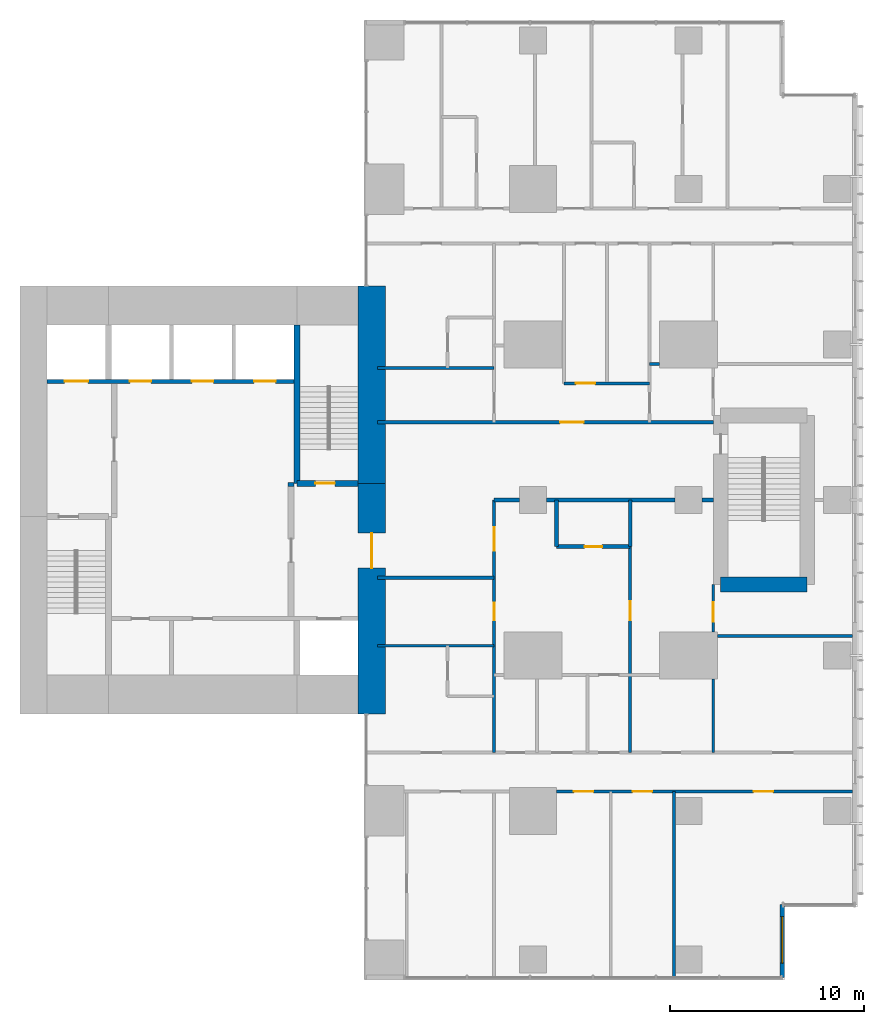
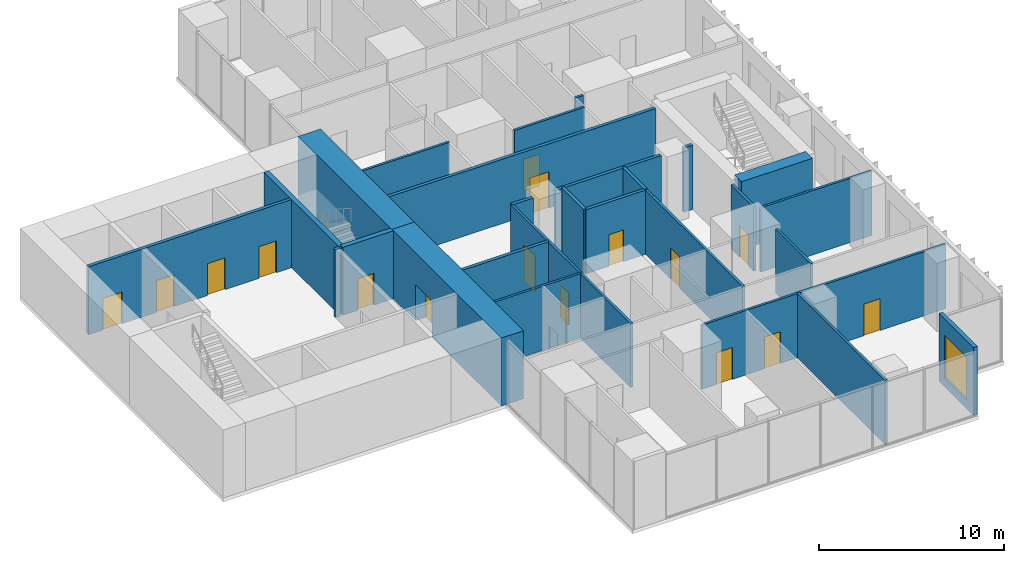
# One storey, part 8 of 12: 27 walls, 16 doors, 1 window, 17 openings.
"""IFC4 building model written with IfcOpenShell, lengths in metres."""

from ifc_helpers import new_model, si_unit, direction, frame, frame_2d, origin, place, context, subcontext, project, spatial, rectangle, extrude, material, layer, layer_set, type_object, element, fill, save


model = new_model("IFC4")

# Units and contexts
model_context = context("Model", 3, precision=1e-05, world=origin(), true_north=direction((0.0, 1.0)))
body_context = subcontext(model_context, "Body", "Model", "MODEL_VIEW")
ifc_project = project(units=[si_unit("LENGTHUNIT", "METRE"), si_unit("AREAUNIT", "SQUARE_METRE"), si_unit("VOLUMEUNIT", "CUBIC_METRE"), si_unit("PLANEANGLEUNIT", "RADIAN"), si_unit("MASSUNIT", "GRAM", prefix="KILO")], contexts=[model_context])

# Site, building, storey
site_placement = place(None, origin())
site = spatial("IfcSite", under=ifc_project, at=site_placement, CompositionType="ELEMENT")
building_placement = place(site_placement, origin())
building = spatial("IfcBuilding", under=site, at=building_placement, Name="Cleftline Residences", CompositionType="ELEMENT")
storey_placement = place(building_placement, frame((0.0, 0.0, 282.60009765625)))
storey = spatial("IfcBuildingStorey", under=building, at=storey_placement, Name="L74", CompositionType="ELEMENT", Elevation=282.60009765625)

# Wall, opening, door
ifc_material_1 = material(Name="Concrete B70", Category="concrete")
ifc_layer_1 = layer(ifc_material_1, 1.39990234375)
ifc_layer_set_1 = layer_set([ifc_layer_1], Name="CORE WALL 1400")
wall_type_1 = type_object("IfcWallType", Name="CORE WALL 1400", PredefinedType="SHEAR", material=ifc_layer_set_1)
wall_1_placement = place(storey_placement, frame((41.699951171875, 13.0, 0.0), z_axis=(0.0, 0.0, 1.0), x_axis=(0.0, 1.0, 0.0)))
wall_1 = element("IfcWall", 1, at=wall_1_placement, inside=storey, type_object=wall_type_1, Name="Core wall E", PredefinedType="SHEAR", context=body_context, shape_type="SweptSolid", body=[
    extrude(rectangle(XDim=11.85009765625, YDim=1.39990234375, at=frame_2d((5.925048828125, 0.0))), origin(), (0.0, 0.0, 1.0), 4.5),
])
opening_1_placement = place(wall_1_placement, frame((7.5, 0.0, 0.0)))
opening_1 = element("IfcOpeningElement", 2, at=opening_1_placement, cuts=wall_1, Name="Opening D7", PredefinedType="OPENING", context=body_context, shape_type="SweptSolid", body=[
    extrude(rectangle(XDim=1.800048828125, YDim=2.39990234375, at=frame_2d((0.89990234375, 1.199951171875))), frame((0.0, 0.7099609375, 0.0), z_axis=(0.0, -1.0, 0.0), x_axis=(1.0, 0.0, 0.0)), (0.0, 0.0, 1.0), 1.419921875),
])
ifc_material_2 = material(Name="Steel", Category="steel")
door_type_1 = type_object("IfcDoorType", Name="WING DOOR 1800X2400", OperationType="DOUBLE_DOOR_DOUBLE_SWING", PredefinedType="DOOR", material=ifc_material_2)
door_1_placement = place(opening_1_placement, origin())
door_1 = element("IfcDoor", 3, at=door_1_placement, inside=storey, type_object=door_type_1, Name="East wing door", OperationType="DOUBLE_DOOR_DOUBLE_SWING", OverallHeight=2.39990234375, OverallWidth=1.800048828125, PredefinedType="DOOR", context=body_context, shape_type="SweptSolid", body=[
    extrude(rectangle(XDim=1.800048828125, YDim=2.39990234375, at=frame_2d((0.89990234375, 1.199951171875))), frame((0.0, 0.02490234375, 0.0), z_axis=(0.0, -1.0, 0.0), x_axis=(1.0, 0.0, 0.0)), (0.0, 0.0, 1.0), 0.050048828125),
])
fill(opening_1, door_1)

# Walls
wall_2_placement = place(storey_placement, frame((41.699951171875, 24.85009765625, 0.0), z_axis=(0.0, 0.0, 1.0), x_axis=(0.0, 1.0, 0.0)))
element("IfcWall", 4, at=wall_2_placement, inside=storey, type_object=wall_type_1, Name="Core wall E1", PredefinedType="SHEAR", context=body_context, shape_type="SweptSolid", body=[
    extrude(rectangle(XDim=10.14990234375, YDim=1.39990234375, at=frame_2d((5.074951171875, 0.0))), origin(), (0.0, 0.0, 1.0), 4.5),
])
ifc_material_3 = material(Name="Concrete B70", Category="concrete")
ifc_layer_2 = layer(ifc_material_3, 0.300048828125)
ifc_layer_set_2 = layer_set([ifc_layer_2], Name="CORE WALL 300")
wall_type_2 = type_object("IfcWallType", Name="CORE WALL 300", PredefinedType="SHEAR", material=ifc_layer_set_2)
wall_3_placement = place(storey_placement, frame((37.85009765625, 24.85009765625, 0.0), z_axis=(0.0, 0.0, 1.0), x_axis=(0.0, 1.0, 0.0)))
element("IfcWall", 5, at=wall_3_placement, inside=storey, type_object=wall_type_2, Name="Core wall SB-W", PredefinedType="SHEAR", context=body_context, shape_type="SweptSolid", body=[
    extrude(rectangle(XDim=8.14990234375, YDim=0.300048828125, at=frame_2d((4.074951171875, 0.0))), origin(), (0.0, 0.0, 1.0), 4.5),
])

# Wall, opening, door
wall_4_placement = place(storey_placement, frame((37.85009765625, 24.85009765625, 0.0), z_axis=(0.0, 0.0, 1.0), x_axis=(1.0, 0.0, 0.0)))
wall_4 = element("IfcWall", 6, at=wall_4_placement, inside=storey, type_object=wall_type_2, Name="Core wall SB-S", PredefinedType="SHEAR", context=body_context, shape_type="SweptSolid", body=[
    extrude(rectangle(XDim=3.14990234375, YDim=0.300048828125, at=frame_2d((1.574951171875, 0.0))), origin(), (0.0, 0.0, 1.0), 4.5),
])
opening_2_placement = place(wall_4_placement, frame((0.949951171875, 0.0, 0.0)))
opening_2 = element("IfcOpeningElement", 7, at=opening_2_placement, cuts=wall_4, Name="Opening D5", PredefinedType="OPENING", context=body_context, shape_type="SweptSolid", body=[
    extrude(rectangle(XDim=1.0, YDim=2.10009765625, at=frame_2d((0.5, 1.050048828125))), frame((0.0, 0.159912109375, 0.0), z_axis=(0.0, -1.0, 0.0), x_axis=(1.0, 0.0, 0.0)), (0.0, 0.0, 1.0), 0.320068359375),
])
ifc_material_4 = material(Name="Steel", Category="steel")
door_type_2 = type_object("IfcDoorType", Name="STAIR DOOR 1000X2100", OperationType="SINGLE_SWING_LEFT", PredefinedType="DOOR", material=ifc_material_4)
door_2_placement = place(opening_2_placement, origin())
door_2 = element("IfcDoor", 8, at=door_2_placement, inside=storey, type_object=door_type_2, Name="Stair B door", OperationType="SINGLE_SWING_RIGHT", OverallHeight=2.10009765625, OverallWidth=1.0, PredefinedType="DOOR", context=body_context, shape_type="SweptSolid", body=[
    extrude(rectangle(XDim=1.0, YDim=2.10009765625, at=frame_2d((0.5, 1.050048828125))), frame((0.0, 0.02490234375, 0.0), z_axis=(0.0, -1.0, 0.0), x_axis=(1.0, 0.0, 0.0)), (0.0, 0.0, 1.0), 0.050048828125),
])
fill(opening_2, door_2)

# Wall, opening, window
ifc_material_5 = material(Name="Rendered reinforced concrete blockwork", Category="masonry")
ifc_layer_3 = layer(ifc_material_5, 0.25)
ifc_layer_set_3 = layer_set([ifc_layer_3], Name="EXTERNAL WALL 250")
wall_type_3 = type_object("IfcWallType", Name="EXTERNAL WALL 250", PredefinedType="SOLIDWALL", material=ifc_layer_set_3)
wall_5_placement = place(storey_placement, frame((62.824951171875, -0.574951171875, 0.0), z_axis=(0.0, 0.0, 1.0), x_axis=(0.0, 1.0, 0.0)))
wall_5 = element("IfcWall", 9, at=wall_5_placement, inside=storey, type_object=wall_type_3, Name="External wall", PredefinedType="SOLIDWALL", context=body_context, shape_type="SweptSolid", body=[
    extrude(rectangle(XDim=3.75, YDim=0.25, at=frame_2d((1.875, 0.0))), origin(), (0.0, 0.0, 1.0), 4.5),
])
opening_3_placement = place(wall_5_placement, frame((0.737548828125, 0.0, 0.60009765625)))
opening_3 = element("IfcOpeningElement", 10, at=opening_3_placement, cuts=wall_5, Name="Opening W15", PredefinedType="OPENING", context=body_context, shape_type="SweptSolid", body=[
    extrude(rectangle(XDim=2.39990234375, YDim=2.800048828125, at=frame_2d((1.199951171875, 1.39990234375))), frame((0.0, 0.135009765625, 0.0), z_axis=(0.0, -1.0, 0.0), x_axis=(1.0, 0.0, 0.0)), (0.0, 0.0, 1.0), 0.27001953125),
])
ifc_material_6 = material(Name="Aluminium frame, clear double glazing", Category="aluminium")
window_type = type_object("IfcWindowType", Name="WINDOW 2400X2800", PartitioningType="DOUBLE_PANEL_VERTICAL", PredefinedType="WINDOW", material=ifc_material_6)
window_placement = place(opening_3_placement, origin())
window = element("IfcWindow", 11, at=window_placement, inside=storey, type_object=window_type, Name="Window", OverallHeight=2.800048828125, OverallWidth=2.39990234375, PartitioningType="SINGLE_PANEL", PredefinedType="WINDOW", context=body_context, shape_type="SweptSolid", body=[
    extrude(rectangle(XDim=2.39990234375, YDim=2.800048828125, at=frame_2d((1.199951171875, 1.39990234375))), frame((0.0, 0.030029296875, 0.0), z_axis=(0.0, -1.0, 0.0), x_axis=(1.0, 0.0, 0.0)), (0.0, 0.0, 1.0), 0.06005859375),
])
fill(opening_3, window)

# Wall
ifc_material_7 = material(Name="Concrete blockwork, fire rated", Category="masonry")
ifc_layer_4 = layer(ifc_material_7, 0.199951171875)
ifc_layer_set_4 = layer_set([ifc_layer_4], Name="FIRE WALL 200")
wall_type_4 = type_object("IfcWallType", Name="FIRE WALL 200", PredefinedType="PARTITIONING", material=ifc_layer_set_4)
wall_6_placement = place(storey_placement, frame((42.0, 20.0, 0.0), z_axis=(0.0, 0.0, 1.0), x_axis=(1.0, 0.0, 0.0)))
element("IfcWall", 12, at=wall_6_placement, inside=storey, type_object=wall_type_4, Name="Fire separating wall", PredefinedType="PARTITIONING", context=body_context, shape_type="SweptSolid", body=[
    extrude(rectangle(XDim=6.0, YDim=0.199951171875, at=frame_2d((3.0, 0.0))), origin(), (0.0, 0.0, 1.0), 4.25),
])

# Wall, opening, door
wall_7_placement = place(storey_placement, frame((51.199951171875, 21.60009765625, 0.0), z_axis=(0.0, 0.0, 1.0), x_axis=(1.0, 0.0, 0.0)))
wall_7 = element("IfcWall", 13, at=wall_7_placement, inside=storey, type_object=wall_type_4, Name="Fire separating wall", PredefinedType="PARTITIONING", context=body_context, shape_type="SweptSolid", body=[
    extrude(rectangle(XDim=3.800048828125, YDim=0.199951171875, at=frame_2d((1.89990234375, 0.0))), origin(), (0.0, 0.0, 1.0), 4.25),
])
opening_4_placement = place(wall_7_placement, frame((1.449951171875, 0.0, 0.0)))
opening_4 = element("IfcOpeningElement", 14, at=opening_4_placement, cuts=wall_7, Name="Opening D1F30", PredefinedType="OPENING", context=body_context, shape_type="SweptSolid", body=[
    extrude(rectangle(XDim=0.89990234375, YDim=2.10009765625, at=frame_2d((0.449951171875, 1.050048828125))), frame((0.0, 0.10986328125, 0.0), z_axis=(0.0, -1.0, 0.0), x_axis=(1.0, 0.0, 0.0)), (0.0, 0.0, 1.0), 0.219970703125),
])
ifc_material_8 = material(Name="Timber veneer on solid core", Category="wood")
door_type_3 = type_object("IfcDoorType", Name="DOOR 900X2100 EI 30", OperationType="SINGLE_SWING_LEFT", PredefinedType="DOOR", material=ifc_material_8)
door_3_placement = place(opening_4_placement, origin())
door_3 = element("IfcDoor", 15, at=door_3_placement, inside=storey, type_object=door_type_3, Name="Door to cloakroom wc", OperationType="SINGLE_SWING_LEFT", OverallHeight=2.10009765625, OverallWidth=0.89990234375, PredefinedType="DOOR", context=body_context, shape_type="SweptSolid", body=[
    extrude(rectangle(XDim=0.89990234375, YDim=2.10009765625, at=frame_2d((0.449951171875, 1.050048828125))), frame((0.0, 0.02490234375, 0.0), z_axis=(0.0, -1.0, 0.0), x_axis=(1.0, 0.0, 0.0)), (0.0, 0.0, 1.0), 0.050048828125),
])
fill(opening_4, door_3)

# Walls
wall_8_placement = place(storey_placement, frame((48.0, 24.0, 0.0), z_axis=(0.0, 0.0, 1.0), x_axis=(1.0, 0.0, 0.0)))
element("IfcWall", 16, at=wall_8_placement, inside=storey, type_object=wall_type_4, Name="Fire separating wall", PredefinedType="PARTITIONING", context=body_context, shape_type="SweptSolid", body=[
    extrude(rectangle(XDim=1.300048828125, YDim=0.199951171875, at=frame_2d((0.64990234375, 0.0))), origin(), (0.0, 0.0, 1.0), 4.25),
])
wall_9_placement = place(storey_placement, frame((50.699951171875, 24.0, 0.0), z_axis=(0.0, 0.0, 1.0), x_axis=(1.0, 0.0, 0.0)))
element("IfcWall", 17, at=wall_9_placement, inside=storey, type_object=wall_type_4, Name="Fire separating wall", PredefinedType="PARTITIONING", context=body_context, shape_type="SweptSolid", body=[
    extrude(rectangle(XDim=6.60009765625, YDim=0.199951171875, at=frame_2d((3.300048828125, 0.0))), origin(), (0.0, 0.0, 1.0), 4.25),
])
wall_10_placement = place(storey_placement, frame((58.699951171875, 24.0, 0.0), z_axis=(0.0, 0.0, 1.0), x_axis=(1.0, 0.0, 0.0)))
element("IfcWall", 18, at=wall_10_placement, inside=storey, type_object=wall_type_4, Name="Fire separating wall", PredefinedType="PARTITIONING", context=body_context, shape_type="SweptSolid", body=[
    extrude(rectangle(XDim=0.574951171875, YDim=0.199951171875, at=frame_2d((0.28759765625, 0.0))), origin(), (0.0, 0.0, 1.0), 4.25),
])

# Wall, opening, door
wall_11_placement = place(storey_placement, frame((42.0, 28.0, 0.0), z_axis=(0.0, 0.0, 1.0), x_axis=(1.0, 0.0, 0.0)))
wall_11 = element("IfcWall", 19, at=wall_11_placement, inside=storey, type_object=wall_type_4, Name="Fire separating wall", PredefinedType="PARTITIONING", context=body_context, shape_type="SweptSolid", body=[
    extrude(rectangle(XDim=17.27490234375, YDim=0.199951171875, at=frame_2d((8.637451171875, 0.0))), origin(), (0.0, 0.0, 1.0), 4.25),
])
opening_5_placement = place(wall_11_placement, frame((9.39990234375, 0.0, 0.0)))
opening_5 = element("IfcOpeningElement", 20, at=opening_5_placement, cuts=wall_11, Name="Opening D4", PredefinedType="OPENING", context=body_context, shape_type="SweptSolid", body=[
    extrude(rectangle(XDim=1.199951171875, YDim=2.39990234375, at=frame_2d((0.60009765625, 1.199951171875))), frame((0.0, 0.10986328125, 0.0), z_axis=(0.0, -1.0, 0.0), x_axis=(1.0, 0.0, 0.0)), (0.0, 0.0, 1.0), 0.219970703125),
])
ifc_material_9 = material(Name="Timber veneer on solid core", Category="wood")
door_type_4 = type_object("IfcDoorType", Name="APARTMENT ENTRANCE DOOR 1200X2400", OperationType="SINGLE_SWING_RIGHT", PredefinedType="DOOR", material=ifc_material_9)
door_4_placement = place(opening_5_placement, origin())
door_4 = element("IfcDoor", 21, at=door_4_placement, inside=storey, type_object=door_type_4, Name="Door to residence entrance (gallery)", OperationType="SINGLE_SWING_LEFT", OverallHeight=2.39990234375, OverallWidth=1.199951171875, PredefinedType="DOOR", context=body_context, shape_type="SweptSolid", body=[
    extrude(rectangle(XDim=1.199951171875, YDim=2.39990234375, at=frame_2d((0.60009765625, 1.199951171875))), frame((0.0, 0.02490234375, 0.0), z_axis=(0.0, -1.0, 0.0), x_axis=(1.0, 0.0, 0.0)), (0.0, 0.0, 1.0), 0.050048828125),
])
fill(opening_5, door_4)

# Walls
for number, where, z_axis, x_axis, name in (
    (22, (51.199951171875, 21.60009765625, 0.0), (0.0, 0.0, 1.0), (0.0, 1.0, 0.0), "Fire separating wall"),
    (23, (55.0, 21.60009765625, 0.0), (0.0, 0.0, 1.0), (0.0, 1.0, 0.0), "Fire separating wall"),
):
    element("IfcWall", number, at=place(storey_placement, frame(where, z_axis=z_axis, x_axis=x_axis)), inside=storey, type_object=wall_type_4, Name=name, PredefinedType="PARTITIONING", context=body_context, shape_type="SweptSolid", body=[
        extrude(rectangle(XDim=2.39990234375, YDim=0.199951171875, at=frame_2d((1.199951171875, 0.0))), origin(), (0.0, 0.0, 1.0), 4.25),
    ])
wall_12_placement = place(storey_placement, frame((37.39990234375, 24.800048828125, 0.0), z_axis=(0.0, 0.0, 1.0), x_axis=(1.0, 0.0, 0.0)))
element("IfcWall", 24, at=wall_12_placement, inside=storey, type_object=wall_type_4, Name="Fire separating wall", PredefinedType="PARTITIONING", context=body_context, shape_type="SweptSolid", body=[
    extrude(rectangle(XDim=0.300048828125, YDim=0.199951171875, at=frame_2d((0.14990234375, 0.0))), origin(), (0.0, 0.0, 1.0), 4.5),
])

# Wall, openings, doors
ifc_material_10 = material(Name="Gypsum board on steel studs", Category="steel")
ifc_layer_5 = layer(ifc_material_10, 0.14990234375)
ifc_layer_set_5 = layer_set([ifc_layer_5], Name="PARTITION 150")
wall_type_5 = type_object("IfcWallType", Name="PARTITION 150", PredefinedType="PARTITIONING", material=ifc_layer_set_5)
wall_13_placement = place(storey_placement, frame((51.199951171875, 9.0, 0.0), z_axis=(0.0, 0.0, 1.0), x_axis=(1.0, 0.0, 0.0)))
wall_13 = element("IfcWall", 25, at=wall_13_placement, inside=storey, type_object=wall_type_5, Name="Partition", PredefinedType="PARTITIONING", context=body_context, shape_type="SweptSolid", body=[
    extrude(rectangle(XDim=15.25, YDim=0.14990234375, at=frame_2d((7.625, 0.0))), origin(), (0.0, 0.0, 1.0), 4.25),
])
opening_6_placement = place(wall_13_placement, frame((10.14990234375, 0.0, 0.0)))
opening_6 = element("IfcOpeningElement", 26, at=opening_6_placement, cuts=wall_13, Name="Opening D2", PredefinedType="OPENING", context=body_context, shape_type="SweptSolid", body=[
    extrude(rectangle(XDim=1.0, YDim=2.10009765625, at=frame_2d((0.5, 1.050048828125))), frame((0.0, 0.0849609375, 0.0), z_axis=(0.0, -1.0, 0.0), x_axis=(1.0, 0.0, 0.0)), (0.0, 0.0, 1.0), 0.169921875),
])
opening_7_placement = place(wall_13_placement, frame((3.925048828125, 0.0, 0.0)))
opening_7 = element("IfcOpeningElement", 27, at=opening_7_placement, cuts=wall_13, Name="Opening D2", PredefinedType="OPENING", context=body_context, shape_type="SweptSolid", body=[
    extrude(rectangle(XDim=1.0, YDim=2.10009765625, at=frame_2d((0.5, 1.050048828125))), frame((0.0, 0.0849609375, 0.0), z_axis=(0.0, -1.0, 0.0), x_axis=(1.0, 0.0, 0.0)), (0.0, 0.0, 1.0), 0.169921875),
])
opening_8_placement = place(wall_13_placement, frame((0.89990234375, 0.0, 0.0)))
opening_8 = element("IfcOpeningElement", 28, at=opening_8_placement, cuts=wall_13, Name="Opening D2", PredefinedType="OPENING", context=body_context, shape_type="SweptSolid", body=[
    extrude(rectangle(XDim=1.0, YDim=2.10009765625, at=frame_2d((0.5, 1.050048828125))), frame((0.0, 0.0849609375, 0.0), z_axis=(0.0, -1.0, 0.0), x_axis=(1.0, 0.0, 0.0)), (0.0, 0.0, 1.0), 0.169921875),
])
ifc_material_11 = material(Name="Timber veneer on solid core", Category="wood")
door_type_5 = type_object("IfcDoorType", Name="DOOR 1000X2100", OperationType="SINGLE_SWING_LEFT", PredefinedType="DOOR", material=ifc_material_11)
door_5_placement = place(opening_6_placement, origin())
door_5 = element("IfcDoor", 29, at=door_5_placement, inside=storey, type_object=door_type_5, Name="Door to sky lounge", OperationType="SINGLE_SWING_LEFT", OverallHeight=2.10009765625, OverallWidth=1.0, PredefinedType="DOOR", context=body_context, shape_type="SweptSolid", body=[
    extrude(rectangle(XDim=1.0, YDim=2.10009765625, at=frame_2d((0.5, 1.050048828125))), frame((0.0, 0.02490234375, 0.0), z_axis=(0.0, -1.0, 0.0), x_axis=(1.0, 0.0, 0.0)), (0.0, 0.0, 1.0), 0.050048828125),
])
fill(opening_6, door_5)
door_6_placement = place(opening_7_placement, origin())
door_6 = element("IfcDoor", 30, at=door_6_placement, inside=storey, type_object=door_type_5, Name="Door to morning room", OperationType="SINGLE_SWING_RIGHT", OverallHeight=2.10009765625, OverallWidth=1.0, PredefinedType="DOOR", context=body_context, shape_type="SweptSolid", body=[
    extrude(rectangle(XDim=1.0, YDim=2.10009765625, at=frame_2d((0.5, 1.050048828125))), frame((0.0, 0.02490234375, 0.0), z_axis=(0.0, -1.0, 0.0), x_axis=(1.0, 0.0, 0.0)), (0.0, 0.0, 1.0), 0.050048828125),
])
fill(opening_7, door_6)
door_7_placement = place(opening_8_placement, origin())
door_7 = element("IfcDoor", 31, at=door_7_placement, inside=storey, type_object=door_type_5, Name="Door to formal dining room", OperationType="SINGLE_SWING_RIGHT", OverallHeight=2.10009765625, OverallWidth=1.0, PredefinedType="DOOR", context=body_context, shape_type="SweptSolid", body=[
    extrude(rectangle(XDim=1.0, YDim=2.10009765625, at=frame_2d((0.5, 1.050048828125))), frame((0.0, 0.02490234375, 0.0), z_axis=(0.0, -1.0, 0.0), x_axis=(1.0, 0.0, 0.0)), (0.0, 0.0, 1.0), 0.050048828125),
])
fill(opening_8, door_7)

# Walls
wall_14_placement = place(storey_placement, frame((42.0, 16.5, 0.0), z_axis=(0.0, 0.0, 1.0), x_axis=(1.0, 0.0, 0.0)))
element("IfcWall", 32, at=wall_14_placement, inside=storey, type_object=wall_type_5, Name="Partition", PredefinedType="PARTITIONING", context=body_context, shape_type="SweptSolid", body=[
    extrude(rectangle(XDim=6.0, YDim=0.14990234375, at=frame_2d((3.0, 0.0))), origin(), (0.0, 0.0, 1.0), 4.25),
])
wall_15_placement = place(storey_placement, frame((59.5, 17.0, 0.0), z_axis=(0.0, 0.0, 1.0), x_axis=(1.0, 0.0, 0.0)))
element("IfcWall", 33, at=wall_15_placement, inside=storey, type_object=wall_type_5, Name="Partition", PredefinedType="PARTITIONING", context=body_context, shape_type="SweptSolid", body=[
    extrude(rectangle(XDim=6.949951171875, YDim=0.14990234375, at=frame_2d((3.47509765625, 0.0))), origin(), (0.0, 0.0, 1.0), 4.25),
])

# Wall, opening, door
wall_16_placement = place(storey_placement, frame((51.60009765625, 30.0, 0.0), z_axis=(0.0, 0.0, 1.0), x_axis=(1.0, 0.0, 0.0)))
wall_16 = element("IfcWall", 34, at=wall_16_placement, inside=storey, type_object=wall_type_5, Name="Partition", PredefinedType="PARTITIONING", context=body_context, shape_type="SweptSolid", body=[
    extrude(rectangle(XDim=4.39990234375, YDim=0.14990234375, at=frame_2d((2.199951171875, 0.0))), origin(), (0.0, 0.0, 1.0), 4.25),
])
opening_9_placement = place(wall_16_placement, frame((0.60009765625, 0.0, 0.0)))
opening_9 = element("IfcOpeningElement", 35, at=opening_9_placement, cuts=wall_16, Name="Opening D2", PredefinedType="OPENING", context=body_context, shape_type="SweptSolid", body=[
    extrude(rectangle(XDim=1.0, YDim=2.10009765625, at=frame_2d((0.5, 1.050048828125))), frame((0.0, 0.0849609375, 0.0), z_axis=(0.0, -1.0, 0.0), x_axis=(1.0, 0.0, 0.0)), (0.0, 0.0, 1.0), 0.169921875),
])
door_8_placement = place(opening_9_placement, origin())
door_8 = element("IfcDoor", 36, at=door_8_placement, inside=storey, type_object=door_type_5, Name="Door to residence passage", OperationType="SINGLE_SWING_RIGHT", OverallHeight=2.10009765625, OverallWidth=1.0, PredefinedType="DOOR", context=body_context, shape_type="SweptSolid", body=[
    extrude(rectangle(XDim=1.0, YDim=2.10009765625, at=frame_2d((0.5, 1.050048828125))), frame((0.0, 0.02490234375, 0.0), z_axis=(0.0, -1.0, 0.0), x_axis=(1.0, 0.0, 0.0)), (0.0, 0.0, 1.0), 0.050048828125),
])
fill(opening_9, door_8)

# Walls
wall_17_placement = place(storey_placement, frame((42.0, 30.800048828125, 0.0), z_axis=(0.0, 0.0, 1.0), x_axis=(1.0, 0.0, 0.0)))
element("IfcWall", 37, at=wall_17_placement, inside=storey, type_object=wall_type_5, Name="Partition", PredefinedType="PARTITIONING", context=body_context, shape_type="SweptSolid", body=[
    extrude(rectangle(XDim=6.0, YDim=0.14990234375, at=frame_2d((3.0, 0.0))), origin(), (0.0, 0.0, 1.0), 4.25),
])
wall_18_placement = place(storey_placement, frame((56.0, 31.0, 0.0), z_axis=(0.0, 0.0, 1.0), x_axis=(1.0, 0.0, 0.0)))
element("IfcWall", 38, at=wall_18_placement, inside=storey, type_object=wall_type_5, Name="Partition", PredefinedType="PARTITIONING", context=body_context, shape_type="SweptSolid", body=[
    extrude(rectangle(XDim=0.5, YDim=0.14990234375, at=frame_2d((0.25, 0.0))), origin(), (0.0, 0.0, 1.0), 4.25),
])

# Wall, openings, doors
wall_19_placement = place(storey_placement, frame((48.0, 11.0, 0.0), z_axis=(0.0, 0.0, 1.0), x_axis=(0.0, 1.0, 0.0)))
wall_19 = element("IfcWall", 39, at=wall_19_placement, inside=storey, type_object=wall_type_5, Name="Partition", PredefinedType="PARTITIONING", context=body_context, shape_type="SweptSolid", body=[
    extrude(rectangle(XDim=13.0, YDim=0.14990234375, at=frame_2d((6.5, 0.0))), origin(), (0.0, 0.0, 1.0), 4.25),
])
opening_10_placement = place(wall_19_placement, frame((10.39990234375, 0.0, 0.0)))
opening_10 = element("IfcOpeningElement", 40, at=opening_10_placement, cuts=wall_19, Name="Opening D4", PredefinedType="OPENING", context=body_context, shape_type="SweptSolid", body=[
    extrude(rectangle(XDim=1.199951171875, YDim=2.39990234375, at=frame_2d((0.60009765625, 1.199951171875))), frame((0.0, 0.0849609375, 0.0), z_axis=(0.0, -1.0, 0.0), x_axis=(1.0, 0.0, 0.0)), (0.0, 0.0, 1.0), 0.169921875),
])
opening_11_placement = place(wall_19_placement, frame((6.800048828125, 0.0, 0.0)))
opening_11 = element("IfcOpeningElement", 41, at=opening_11_placement, cuts=wall_19, Name="Opening D1F60", PredefinedType="OPENING", context=body_context, shape_type="SweptSolid", body=[
    extrude(rectangle(XDim=0.89990234375, YDim=2.10009765625, at=frame_2d((0.449951171875, 1.050048828125))), frame((0.0, 0.0849609375, 0.0), z_axis=(0.0, -1.0, 0.0), x_axis=(1.0, 0.0, 0.0)), (0.0, 0.0, 1.0), 0.169921875),
])
door_9_placement = place(opening_10_placement, origin())
door_9 = element("IfcDoor", 42, at=door_9_placement, inside=storey, type_object=door_type_4, Name="Door to residence entrance foyer", OperationType="SINGLE_SWING_LEFT", OverallHeight=2.39990234375, OverallWidth=1.199951171875, PredefinedType="DOOR", context=body_context, shape_type="SweptSolid", body=[
    extrude(rectangle(XDim=1.199951171875, YDim=2.39990234375, at=frame_2d((0.60009765625, 1.199951171875))), frame((0.0, 0.02490234375, 0.0), z_axis=(0.0, -1.0, 0.0), x_axis=(1.0, 0.0, 0.0)), (0.0, 0.0, 1.0), 0.050048828125),
])
fill(opening_10, door_9)
ifc_material_12 = material(Name="Timber veneer on solid core", Category="wood")
door_type_6 = type_object("IfcDoorType", Name="DOOR 900X2100 EI 60", OperationType="SINGLE_SWING_LEFT", PredefinedType="DOOR", material=ifc_material_12)
door_10_placement = place(opening_11_placement, origin())
door_10 = element("IfcDoor", 43, at=door_10_placement, inside=storey, type_object=door_type_6, Name="Door to laundry", OperationType="SINGLE_SWING_LEFT", OverallHeight=2.10009765625, OverallWidth=0.89990234375, PredefinedType="DOOR", context=body_context, shape_type="SweptSolid", body=[
    extrude(rectangle(XDim=0.89990234375, YDim=2.10009765625, at=frame_2d((0.449951171875, 1.050048828125))), frame((0.0, 0.02490234375, 0.0), z_axis=(0.0, -1.0, 0.0), x_axis=(1.0, 0.0, 0.0)), (0.0, 0.0, 1.0), 0.050048828125),
])
fill(opening_11, door_10)

# Wall, opening, door
wall_20_placement = place(storey_placement, frame((55.0, 11.0, 0.0), z_axis=(0.0, 0.0, 1.0), x_axis=(0.0, 1.0, 0.0)))
wall_20 = element("IfcWall", 44, at=wall_20_placement, inside=storey, type_object=wall_type_5, Name="Partition", PredefinedType="PARTITIONING", context=body_context, shape_type="SweptSolid", body=[
    extrude(rectangle(XDim=10.60009765625, YDim=0.14990234375, at=frame_2d((5.300048828125, 0.0))), origin(), (0.0, 0.0, 1.0), 4.25),
])
opening_12_placement = place(wall_20_placement, frame((6.800048828125, 0.0, 0.0)))
opening_12 = element("IfcOpeningElement", 45, at=opening_12_placement, cuts=wall_20, Name="Opening D2F30", PredefinedType="OPENING", context=body_context, shape_type="SweptSolid", body=[
    extrude(rectangle(XDim=1.0, YDim=2.10009765625, at=frame_2d((0.5, 1.050048828125))), frame((0.0, 0.0849609375, 0.0), z_axis=(0.0, -1.0, 0.0), x_axis=(1.0, 0.0, 0.0)), (0.0, 0.0, 1.0), 0.169921875),
])
ifc_material_13 = material(Name="Timber veneer on solid core", Category="wood")
door_type_7 = type_object("IfcDoorType", Name="DOOR 1000X2100 EI 30", OperationType="SINGLE_SWING_LEFT", PredefinedType="DOOR", material=ifc_material_13)
door_11_placement = place(opening_12_placement, origin())
door_11 = element("IfcDoor", 46, at=door_11_placement, inside=storey, type_object=door_type_7, Name="Door to residence lobby", OperationType="SINGLE_SWING_LEFT", OverallHeight=2.10009765625, OverallWidth=1.0, PredefinedType="DOOR", context=body_context, shape_type="SweptSolid", body=[
    extrude(rectangle(XDim=1.0, YDim=2.10009765625, at=frame_2d((0.5, 1.050048828125))), frame((0.0, 0.02490234375, 0.0), z_axis=(0.0, -1.0, 0.0), x_axis=(1.0, 0.0, 0.0)), (0.0, 0.0, 1.0), 0.050048828125),
])
fill(opening_12, door_11)

# Walls
wall_21_placement = place(storey_placement, frame((57.25, -0.56103515625, 0.0), z_axis=(0.0, 0.0, 1.0), x_axis=(0.0, 1.0, 0.0)))
element("IfcWall", 47, at=wall_21_placement, inside=storey, type_object=wall_type_5, Name="Partition", PredefinedType="PARTITIONING", context=body_context, shape_type="SweptSolid", body=[
    extrude(rectangle(XDim=9.56103515625, YDim=0.14990234375, at=frame_2d((4.780517578125, 0.0))), origin(), (0.0, 0.0, 1.0), 4.25),
])
wall_22_placement = place(storey_placement, frame((59.27490234375, 11.0, 0.0), z_axis=(0.0, 0.0, 1.0), x_axis=(0.0, 1.0, 0.0)))
element("IfcWall", 48, at=wall_22_placement, inside=storey, type_object=wall_type_5, Name="Partition", PredefinedType="PARTITIONING", context=body_context, shape_type="SweptSolid", body=[
    extrude(rectangle(XDim=3.800048828125, YDim=0.14990234375, at=frame_2d((1.89990234375, 0.0))), origin(), (0.0, 0.0, 1.0), 4.25),
])

# Wall, opening, door
wall_23_placement = place(storey_placement, frame((59.27490234375, 17.199951171875, 0.0), z_axis=(0.0, 0.0, 1.0), x_axis=(0.0, 1.0, 0.0)))
wall_23 = element("IfcWall", 49, at=wall_23_placement, inside=storey, type_object=wall_type_5, Name="Partition", PredefinedType="PARTITIONING", context=body_context, shape_type="SweptSolid", body=[
    extrude(rectangle(XDim=2.449951171875, YDim=0.14990234375, at=frame_2d((1.22509765625, 0.0))), origin(), (0.0, 0.0, 1.0), 4.25),
])
opening_13_placement = place(wall_23_placement, frame((0.53759765625, 0.0, 0.0)))
opening_13 = element("IfcOpeningElement", 50, at=opening_13_placement, cuts=wall_23, Name="Opening D2", PredefinedType="OPENING", context=body_context, shape_type="SweptSolid", body=[
    extrude(rectangle(XDim=1.0, YDim=2.10009765625, at=frame_2d((0.5, 1.050048828125))), frame((0.0, 0.0849609375, 0.0), z_axis=(0.0, -1.0, 0.0), x_axis=(1.0, 0.0, 0.0)), (0.0, 0.0, 1.0), 0.169921875),
])
door_12_placement = place(opening_13_placement, origin())
door_12 = element("IfcDoor", 51, at=door_12_placement, inside=storey, type_object=door_type_5, Name="Door to altar room", OperationType="SINGLE_SWING_RIGHT", OverallHeight=2.10009765625, OverallWidth=1.0, PredefinedType="DOOR", context=body_context, shape_type="SweptSolid", body=[
    extrude(rectangle(XDim=1.0, YDim=2.10009765625, at=frame_2d((0.5, 1.050048828125))), frame((0.0, 0.02490234375, 0.0), z_axis=(0.0, -1.0, 0.0), x_axis=(1.0, 0.0, 0.0)), (0.0, 0.0, 1.0), 0.050048828125),
])
fill(opening_13, door_12)

# Wall, openings, doors
ifc_material_14 = material(Name="Concrete blockwork, fire rated", Category="masonry")
ifc_layer_6 = layer(ifc_material_14, 0.199951171875)
ifc_layer_set_6 = layer_set([ifc_layer_6], Name="SHAFT WALL 200")
wall_type_6 = type_object("IfcWallType", Name="SHAFT WALL 200", PredefinedType="PARTITIONING", material=ifc_layer_set_6)
wall_24_placement = place(storey_placement, frame((25.0, 30.10009765625, 0.0), z_axis=(0.0, 0.0, 1.0), x_axis=(1.0, 0.0, 0.0)))
wall_24 = element("IfcWall", 52, at=wall_24_placement, inside=storey, type_object=wall_type_6, Name="Lift shaft wall", PredefinedType="PARTITIONING", context=body_context, shape_type="SweptSolid", body=[
    extrude(rectangle(XDim=12.699951171875, YDim=0.199951171875, at=frame_2d((6.35009765625, 0.0))), origin(), (0.0, 0.0, 1.0), 4.5),
])
opening_14_placement = place(wall_24_placement, frame((4.25, 0.0, 0.0)))
opening_14 = element("IfcOpeningElement", 53, at=opening_14_placement, cuts=wall_24, Name="Opening LD1", PredefinedType="OPENING", context=body_context, shape_type="SweptSolid", body=[
    extrude(rectangle(XDim=1.10009765625, YDim=2.10009765625, at=frame_2d((0.550048828125, 1.050048828125))), frame((0.0, 0.10986328125, 0.0), z_axis=(0.0, -1.0, 0.0), x_axis=(1.0, 0.0, 0.0)), (0.0, 0.0, 1.0), 0.219970703125),
])
opening_15_placement = place(wall_24_placement, frame((7.449951171875, 0.0, 0.0)))
opening_15 = element("IfcOpeningElement", 54, at=opening_15_placement, cuts=wall_24, Name="Opening LD1", PredefinedType="OPENING", context=body_context, shape_type="SweptSolid", body=[
    extrude(rectangle(XDim=1.10009765625, YDim=2.10009765625, at=frame_2d((0.550048828125, 1.050048828125))), frame((0.0, 0.10986328125, 0.0), z_axis=(0.0, -1.0, 0.0), x_axis=(1.0, 0.0, 0.0)), (0.0, 0.0, 1.0), 0.219970703125),
])
opening_16_placement = place(wall_24_placement, frame((10.64990234375, 0.0, 0.0)))
opening_16 = element("IfcOpeningElement", 55, at=opening_16_placement, cuts=wall_24, Name="Opening LD1", PredefinedType="OPENING", context=body_context, shape_type="SweptSolid", body=[
    extrude(rectangle(XDim=1.10009765625, YDim=2.10009765625, at=frame_2d((0.550048828125, 1.050048828125))), frame((0.0, 0.10986328125, 0.0), z_axis=(0.0, -1.0, 0.0), x_axis=(1.0, 0.0, 0.0)), (0.0, 0.0, 1.0), 0.219970703125),
])
opening_17_placement = place(wall_24_placement, frame((0.89990234375, 0.0, 0.0)))
opening_17 = element("IfcOpeningElement", 56, at=opening_17_placement, cuts=wall_24, Name="Opening LD2", PredefinedType="OPENING", context=body_context, shape_type="SweptSolid", body=[
    extrude(rectangle(XDim=1.199951171875, YDim=2.10009765625, at=frame_2d((0.60009765625, 1.050048828125))), frame((0.0, 0.10986328125, 0.0), z_axis=(0.0, -1.0, 0.0), x_axis=(1.0, 0.0, 0.0)), (0.0, 0.0, 1.0), 0.219970703125),
])
ifc_material_15 = material(Name="Steel", Category="steel")
door_type_8 = type_object("IfcDoorType", Name="FIREFIGHTING LIFT LANDING DOOR 1200X2100", OperationType="SLIDING_TO_LEFT", PredefinedType="DOOR", material=ifc_material_15)
door_13_placement = place(opening_17_placement, origin())
door_13 = element("IfcDoor", 57, at=door_13_placement, inside=storey, type_object=door_type_8, Name="Lift FL1 landing door", OperationType="SLIDING_TO_LEFT", OverallHeight=2.10009765625, OverallWidth=1.199951171875, PredefinedType="DOOR", context=body_context, shape_type="SweptSolid", body=[
    extrude(rectangle(XDim=1.199951171875, YDim=2.10009765625, at=frame_2d((0.60009765625, 1.050048828125))), frame((0.0, 0.02490234375, 0.0), z_axis=(0.0, -1.0, 0.0), x_axis=(1.0, 0.0, 0.0)), (0.0, 0.0, 1.0), 0.050048828125),
])
fill(opening_17, door_13)
ifc_material_16 = material(Name="Steel", Category="steel")
door_type_9 = type_object("IfcDoorType", Name="LIFT LANDING DOOR 1100X2100", OperationType="SLIDING_TO_LEFT", PredefinedType="DOOR", material=ifc_material_16)
door_14_placement = place(opening_14_placement, origin())
door_14 = element("IfcDoor", 58, at=door_14_placement, inside=storey, type_object=door_type_9, Name="Lift P4 landing door", OperationType="SLIDING_TO_LEFT", OverallHeight=2.10009765625, OverallWidth=1.10009765625, PredefinedType="DOOR", context=body_context, shape_type="SweptSolid", body=[
    extrude(rectangle(XDim=1.10009765625, YDim=2.10009765625, at=frame_2d((0.550048828125, 1.050048828125))), frame((0.0, 0.02490234375, 0.0), z_axis=(0.0, -1.0, 0.0), x_axis=(1.0, 0.0, 0.0)), (0.0, 0.0, 1.0), 0.050048828125),
])
fill(opening_14, door_14)
door_15_placement = place(opening_15_placement, origin())
door_15 = element("IfcDoor", 59, at=door_15_placement, inside=storey, type_object=door_type_9, Name="Lift P5 landing door", OperationType="SLIDING_TO_LEFT", OverallHeight=2.10009765625, OverallWidth=1.10009765625, PredefinedType="DOOR", context=body_context, shape_type="SweptSolid", body=[
    extrude(rectangle(XDim=1.10009765625, YDim=2.10009765625, at=frame_2d((0.550048828125, 1.050048828125))), frame((0.0, 0.02490234375, 0.0), z_axis=(0.0, -1.0, 0.0), x_axis=(1.0, 0.0, 0.0)), (0.0, 0.0, 1.0), 0.050048828125),
])
fill(opening_15, door_15)
door_16_placement = place(opening_16_placement, origin())
door_16 = element("IfcDoor", 60, at=door_16_placement, inside=storey, type_object=door_type_9, Name="Lift P6 landing door", OperationType="SLIDING_TO_LEFT", OverallHeight=2.10009765625, OverallWidth=1.10009765625, PredefinedType="DOOR", context=body_context, shape_type="SweptSolid", body=[
    extrude(rectangle(XDim=1.10009765625, YDim=2.10009765625, at=frame_2d((0.550048828125, 1.050048828125))), frame((0.0, 0.02490234375, 0.0), z_axis=(0.0, -1.0, 0.0), x_axis=(1.0, 0.0, 0.0)), (0.0, 0.0, 1.0), 0.050048828125),
])
fill(opening_16, door_16)

# Wall
ifc_material_17 = material(Name="Concrete B70", Category="concrete")
ifc_layer_7 = layer(ifc_material_17, 0.75)
ifc_layer_set_7 = layer_set([ifc_layer_7], Name="SHEAR WALL 750")
wall_type_7 = type_object("IfcWallType", Name="SHEAR WALL 750", PredefinedType="SHEAR", material=ifc_layer_set_7)
wall_25_placement = place(storey_placement, frame((59.64990234375, 19.64990234375, 0.0), z_axis=(0.0, 0.0, 1.0), x_axis=(1.0, 0.0, 0.0)))
element("IfcWall", 61, at=wall_25_placement, inside=storey, type_object=wall_type_7, Name="Wing shear wall", PredefinedType="SHEAR", context=body_context, shape_type="SweptSolid", body=[
    extrude(rectangle(XDim=4.4501953125, YDim=0.75, at=frame_2d((2.22509765625, 0.0))), origin(), (0.0, 0.0, 1.0), 4.5),
])

save(model, "model.ifc")
